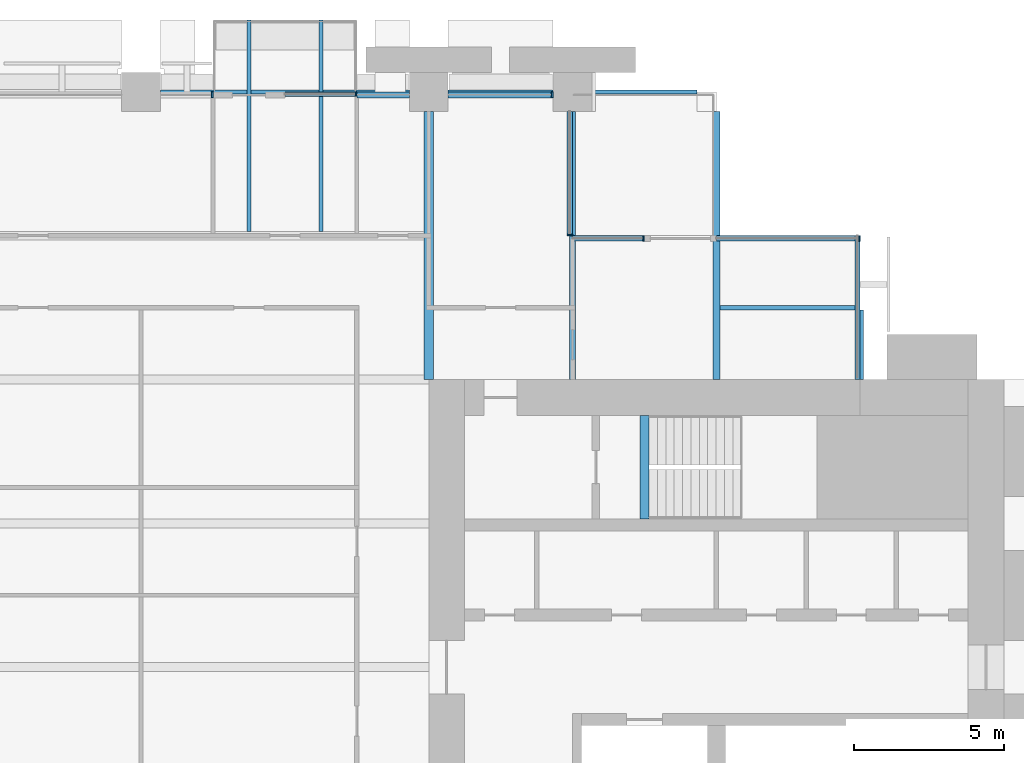
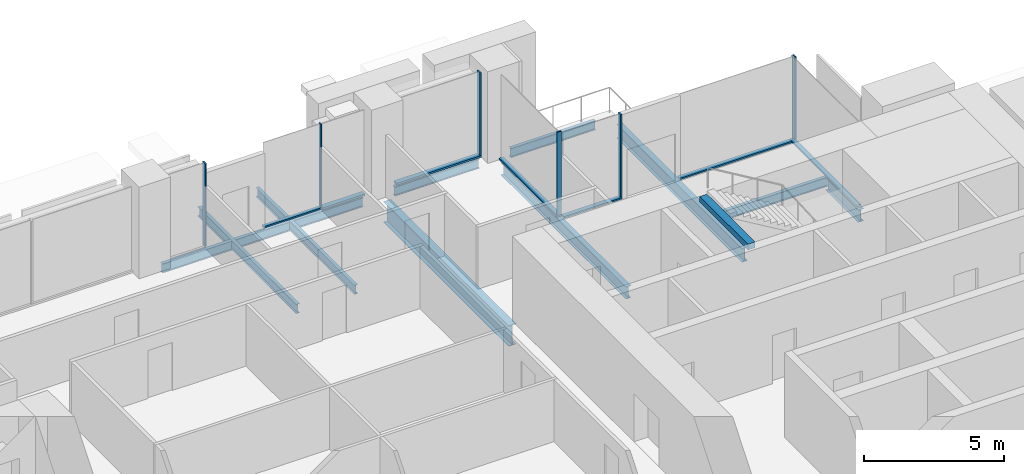
# One storey, part 7 of 15: 13 beams, 13 members, 7 elements without a shape of their own.
"""IFC4 building model written with IfcOpenShell, lengths in metres."""

from ifc_helpers import new_model, si_unit, direction, frame, origin, origin_2d, place, context, subcontext, project, spatial, rectangle, i_section, extrude, material, material_profile, profile_set, type_object, element, aggregate, save


model = new_model("IFC4")

# Units and contexts
model_context = context("Model", 3, precision=1e-05, world=origin(), true_north=direction((0.0, 1.0)))
body_context = subcontext(model_context, "Body", "Model", "MODEL_VIEW")
ifc_project = project(units=[si_unit("LENGTHUNIT", "METRE"), si_unit("AREAUNIT", "SQUARE_METRE"), si_unit("VOLUMEUNIT", "CUBIC_METRE"), si_unit("PLANEANGLEUNIT", "RADIAN"), si_unit("MASSUNIT", "GRAM", prefix="KILO")], contexts=[model_context])

# Site, building, storey
site_placement = place(None, origin())
site = spatial("IfcSite", under=ifc_project, at=site_placement, CompositionType="ELEMENT")
building_placement = place(site_placement, origin())
building = spatial("IfcBuilding", under=site, at=building_placement, Name="Baori Bourse Tower", CompositionType="ELEMENT")
storey_placement = place(building_placement, frame((0.0, 0.0, 83.0)))
storey = spatial("IfcBuildingStorey", under=building, at=storey_placement, Name="L18", CompositionType="ELEMENT", Elevation=83.0)

# Beams
ifc_material_1 = material(Name="Steel A992 Gr 50", Category="steel")
ifc_material_profile_1 = material_profile(ifc_material_1, i_section(OverallWidth=0.140380859375, OverallDepth=0.40380859375, WebThickness=0.007080078125, FlangeThickness=0.01123046875, at=origin_2d()), Name="W16x31")
ifc_profile_set_1 = profile_set([ifc_material_profile_1], Name="Steel A992 Gr 50")
beam_type_1 = type_object("IfcBeamType", Name="Balcony beam W16x31", PredefinedType="BEAM", material=ifc_profile_set_1)
for number, where, z_axis, x_axis, name in (
    (1, (32.39990234375, 50.39990234375, -0.36181640625), (0.0, -1.0, 0.0), (1.0, 0.0, 0.0), "Balcony beam L18"),
    (2, (34.800048828125, 50.39990234375, -0.36181640625), (0.0, -1.0, 0.0), (1.0, 0.0, 0.0), "Balcony beam L18"),
):
    element("IfcBeam", number, at=place(storey_placement, frame(where, z_axis=z_axis, x_axis=x_axis)), inside=storey, type_object=beam_type_1, Name=name, PredefinedType="BEAM", context=body_context, shape_type="SweptSolid", body=[
        extrude(i_section(OverallWidth=0.140380859375, OverallDepth=0.40380859375, WebThickness=0.007080078125, FlangeThickness=0.01123046875, at=origin_2d()), origin(), (0.0, 0.0, 1.0), 7.050048828125),
    ])

# Curtain wall, member
ifc_material_2 = material(Name="Pale anodised aluminium", Category="aluminium")
curtain_wall_type_1 = type_object("IfcCurtainWallType", Name="CW1 Curtain wall", PredefinedType="NOTDEFINED", material=ifc_material_2)
curtain_wall_1_placement = place(storey_placement, origin())
curtain_wall_1 = element("IfcCurtainWall", 3, at=curtain_wall_1_placement, inside=storey, type_object=curtain_wall_type_1, Name="Curtain wall CW1 L18 5", PredefinedType="NOTDEFINED")
ifc_material_3 = material(Name="Pale anodised aluminium", Category="aluminium")
ifc_material_profile_2 = material_profile(ifc_material_3, rectangle(XDim=0.199951171875, YDim=0.06005859375, at=origin_2d()), Name="Mullion 60x200")
ifc_profile_set_2 = profile_set([ifc_material_profile_2], Name="Pale anodised aluminium")
member_type_1 = type_object("IfcMemberType", Name="CW1 Curtain wall mullion", PredefinedType="MULLION", material=ifc_profile_set_2)
member_1_placement = place(storey_placement, frame((42.52001953125, 47.89990234375, 0.080078125), z_axis=(0.0, 0.0, 1.0), x_axis=(0.0, -1.0, 0.0)))
member_1 = element("IfcMember", 4, at=member_1_placement, type_object=member_type_1, Name="Curtain wall CW1 mullion", PredefinedType="MULLION", context=body_context, shape_type="SweptSolid", body=[
    extrude(rectangle(XDim=0.199951171875, YDim=0.06005859375, at=origin_2d()), origin(), (0.0, 0.0, 1.0), 3.619873046875),
])

curtain_wall_2_placement = place(storey_placement, origin())
curtain_wall_2 = element("IfcCurtainWall", 5, at=curtain_wall_2_placement, inside=storey, type_object=curtain_wall_type_1, Name="Curtain wall CW1 L18 7", PredefinedType="NOTDEFINED")
member_2_placement = place(storey_placement, frame((31.169921875, 47.89990234375, 0.080078125), z_axis=(0.0, 0.0, 1.0), x_axis=(0.0, -1.0, 0.0)))
member_2 = element("IfcMember", 6, at=member_2_placement, type_object=member_type_1, Name="Curtain wall CW1 mullion", PredefinedType="MULLION", context=body_context, shape_type="SweptSolid", body=[
    extrude(rectangle(XDim=0.199951171875, YDim=0.06005859375, at=origin_2d()), origin(), (0.0, 0.0, 1.0), 3.619873046875),
])
aggregate(curtain_wall_2, [member_2])

# Member
ifc_material_4 = material(Name="Pale anodised aluminium", Category="aluminium")
ifc_material_profile_3 = material_profile(ifc_material_4, rectangle(XDim=0.199951171875, YDim=0.080078125, at=origin_2d()), Name="Transom 80x200")
ifc_profile_set_3 = profile_set([ifc_material_profile_3], Name="Pale anodised aluminium")
member_type_2 = type_object("IfcMemberType", Name="CW1 Curtain wall transom", PredefinedType="USERDEFINED", material=ifc_profile_set_3)
member_3_placement = place(storey_placement, frame((42.550048828125, 47.89990234375, 0.0400390625), z_axis=(-1.0, 0.0, 0.0), x_axis=(0.0, -1.0, 0.0)))
member_3 = element("IfcMember", 7, at=member_3_placement, type_object=member_type_2, Name="Curtain wall CW1 sill rail", ObjectType="TRANSOM", PredefinedType="USERDEFINED", context=body_context, shape_type="SweptSolid", body=[
    extrude(rectangle(XDim=0.199951171875, YDim=0.080078125, at=origin_2d()), origin(), (0.0, 0.0, 1.0), 3.5),
])

member_4_placement = place(storey_placement, frame((37.75, 47.89990234375, 0.0400390625), z_axis=(-1.0, 0.0, 0.0), x_axis=(0.0, -1.0, 0.0)))
member_4 = element("IfcMember", 8, at=member_4_placement, type_object=member_type_2, Name="Curtain wall CW1 sill rail", ObjectType="TRANSOM", PredefinedType="USERDEFINED", context=body_context, shape_type="SweptSolid", body=[
    extrude(rectangle(XDim=0.199951171875, YDim=0.080078125, at=origin_2d()), origin(), (0.0, 0.0, 1.0), 1.75),
])

aggregate(curtain_wall_1, [member_3, member_1, member_4])

# Curtain wall, member
ifc_material_5 = material(Name="Pale anodised aluminium", Category="aluminium")
curtain_wall_type_2 = type_object("IfcCurtainWallType", Name="CW2 Curtain wall", PredefinedType="NOTDEFINED", material=ifc_material_5)
curtain_wall_3_placement = place(storey_placement, origin())
curtain_wall_3 = element("IfcCurtainWall", 9, at=curtain_wall_3_placement, inside=storey, type_object=curtain_wall_type_2, Name="Curtain wall CW2 L18 2", PredefinedType="NOTDEFINED")
ifc_material_6 = material(Name="Pale anodised aluminium", Category="aluminium")
ifc_material_profile_4 = material_profile(ifc_material_6, rectangle(XDim=0.179931640625, YDim=0.054931640625, at=origin_2d()), Name="Mullion 55x180")
ifc_profile_set_4 = profile_set([ifc_material_profile_4], Name="Pale anodised aluminium")
member_type_3 = type_object("IfcMemberType", Name="CW2 Curtain wall mullion", PredefinedType="MULLION", material=ifc_profile_set_4)
member_5_placement = place(storey_placement, frame((52.7724609375, 43.110107421875, 0.070068359375), z_axis=(0.0, 0.0, 1.0), x_axis=(0.0, -1.0, 0.0)))
member_5 = element("IfcMember", 10, at=member_5_placement, type_object=member_type_3, Name="Curtain wall CW2 mullion", PredefinedType="MULLION", context=body_context, shape_type="SweptSolid", body=[
    extrude(rectangle(XDim=0.179931640625, YDim=0.054931640625, at=origin_2d()), origin(), (0.0, 0.0, 1.0), 3.6298828125),
])

curtain_wall_4_placement = place(storey_placement, origin())
curtain_wall_4 = element("IfcCurtainWall", 11, at=curtain_wall_4_placement, inside=storey, type_object=curtain_wall_type_2, Name="Curtain wall CW2 L18 3", PredefinedType="NOTDEFINED")
member_6_placement = place(storey_placement, frame((45.572509765625, 43.110107421875, 0.070068359375), z_axis=(0.0, 0.0, 1.0), x_axis=(0.0, -1.0, 0.0)))
member_6 = element("IfcMember", 12, at=member_6_placement, type_object=member_type_3, Name="Curtain wall CW2 mullion", PredefinedType="MULLION", context=body_context, shape_type="SweptSolid", body=[
    extrude(rectangle(XDim=0.179931640625, YDim=0.054931640625, at=origin_2d()), origin(), (0.0, 0.0, 1.0), 3.6298828125),
])

curtain_wall_5_placement = place(storey_placement, origin())
curtain_wall_5 = element("IfcCurtainWall", 13, at=curtain_wall_5_placement, inside=storey, type_object=curtain_wall_type_2, Name="Curtain wall CW2 L18 4", PredefinedType="NOTDEFINED")
member_7_placement = place(storey_placement, frame((43.110107421875, 43.2275390625, 0.070068359375), z_axis=(0.0, 0.0, 1.0), x_axis=(-1.0, 0.0, 0.0)))
member_7 = element("IfcMember", 14, at=member_7_placement, type_object=member_type_3, Name="Curtain wall CW2 mullion", PredefinedType="MULLION", context=body_context, shape_type="SweptSolid", body=[
    extrude(rectangle(XDim=0.179931640625, YDim=0.054931640625, at=origin_2d()), origin(), (0.0, 0.0, 1.0), 3.6298828125),
])

curtain_wall_6_placement = place(storey_placement, origin())
curtain_wall_6 = element("IfcCurtainWall", 15, at=curtain_wall_6_placement, inside=storey, type_object=curtain_wall_type_2, Name="Curtain wall CW2 L18 1", PredefinedType="NOTDEFINED")
ifc_material_7 = material(Name="Pale anodised aluminium", Category="aluminium")
ifc_material_profile_5 = material_profile(ifc_material_7, rectangle(XDim=0.179931640625, YDim=0.070068359375, at=origin_2d()), Name="Transom 70x180")
ifc_profile_set_5 = profile_set([ifc_material_profile_5], Name="Pale anodised aluminium")
member_type_4 = type_object("IfcMemberType", Name="CW2 Curtain wall transom", PredefinedType="USERDEFINED", material=ifc_profile_set_5)
member_8_placement = place(storey_placement, frame((52.7099609375, 38.39990234375, 0.034912109375), z_axis=(0.0, 1.0, 0.0), x_axis=(-1.0, 0.0, 0.0)))
member_8 = element("IfcMember", 16, at=member_8_placement, type_object=member_type_4, Name="Curtain wall CW2 sill rail", ObjectType="TRANSOM", PredefinedType="USERDEFINED", context=body_context, shape_type="SweptSolid", body=[
    extrude(rectangle(XDim=0.179931640625, YDim=0.070068359375, at=origin_2d()), origin(), (0.0, 0.0, 1.0), 4.800048828125),
])
aggregate(curtain_wall_6, [member_8])

# Member
member_9_placement = place(storey_placement, frame((52.800048828125, 43.110107421875, 0.034912109375), z_axis=(-1.0, 0.0, 0.0), x_axis=(0.0, -1.0, 0.0)))
member_9 = element("IfcMember", 17, at=member_9_placement, type_object=member_type_4, Name="Curtain wall CW2 sill rail", ObjectType="TRANSOM", PredefinedType="USERDEFINED", context=body_context, shape_type="SweptSolid", body=[
    extrude(rectangle(XDim=0.179931640625, YDim=0.070068359375, at=origin_2d()), origin(), (0.0, 0.0, 1.0), 4.800048828125),
])

aggregate(curtain_wall_3, [member_9, member_5])

member_10_placement = place(storey_placement, frame((45.60009765625, 43.110107421875, 0.034912109375), z_axis=(-1.0, 0.0, 0.0), x_axis=(0.0, -1.0, 0.0)))
member_10 = element("IfcMember", 18, at=member_10_placement, type_object=member_type_4, Name="Curtain wall CW2 sill rail", ObjectType="TRANSOM", PredefinedType="USERDEFINED", context=body_context, shape_type="SweptSolid", body=[
    extrude(rectangle(XDim=0.179931640625, YDim=0.070068359375, at=origin_2d()), origin(), (0.0, 0.0, 1.0), 2.400146484375),
])

aggregate(curtain_wall_4, [member_10, member_6])

member_11_placement = place(storey_placement, frame((43.110107421875, 43.199951171875, 0.034912109375), z_axis=(0.0, 1.0, 0.0), x_axis=(-1.0, 0.0, 0.0)))
member_11 = element("IfcMember", 19, at=member_11_placement, type_object=member_type_4, Name="Curtain wall CW2 sill rail", ObjectType="TRANSOM", PredefinedType="USERDEFINED", context=body_context, shape_type="SweptSolid", body=[
    extrude(rectangle(XDim=0.179931640625, YDim=0.070068359375, at=origin_2d()), origin(), (0.0, 0.0, 1.0), 4.150146484375),
])

aggregate(curtain_wall_5, [member_11, member_7])

# Curtain wall, members
ifc_material_8 = material(Name="Pale anodised aluminium", Category="aluminium")
curtain_wall_type_3 = type_object("IfcCurtainWallType", Name="CW6 Curtain wall", PredefinedType="NOTDEFINED", material=ifc_material_8)
curtain_wall_7_placement = place(storey_placement, origin())
curtain_wall_7 = element("IfcCurtainWall", 20, at=curtain_wall_7_placement, inside=storey, type_object=curtain_wall_type_3, Name="Curtain wall CW6 L18 6", PredefinedType="NOTDEFINED")
ifc_material_9 = material(Name="Pale anodised aluminium", Category="aluminium")
ifc_material_profile_6 = material_profile(ifc_material_9, rectangle(XDim=0.14990234375, YDim=0.050048828125, at=origin_2d()), Name="Mullion 50x150")
ifc_profile_set_6 = profile_set([ifc_material_profile_6], Name="Pale anodised aluminium")
member_type_5 = type_object("IfcMemberType", Name="CW6 Curtain wall mullion", PredefinedType="MULLION", material=ifc_profile_set_6)
member_12_placement = place(storey_placement, frame((35.97509765625, 47.925048828125, 0.06494140625), z_axis=(0.0, 0.0, 1.0), x_axis=(0.0, -1.0, 0.0)))
member_12 = element("IfcMember", 21, at=member_12_placement, type_object=member_type_5, Name="Curtain wall CW6 mullion", PredefinedType="MULLION", context=body_context, shape_type="SweptSolid", body=[
    extrude(rectangle(XDim=0.14990234375, YDim=0.050048828125, at=origin_2d()), origin(), (0.0, 0.0, 1.0), 3.635009765625),
])
ifc_material_10 = material(Name="Pale anodised aluminium", Category="aluminium")
ifc_material_profile_7 = material_profile(ifc_material_10, rectangle(XDim=0.14990234375, YDim=0.06494140625, at=origin_2d()), Name="Transom 65x150")
ifc_profile_set_7 = profile_set([ifc_material_profile_7], Name="Pale anodised aluminium")
member_type_6 = type_object("IfcMemberType", Name="CW6 Curtain wall transom", PredefinedType="USERDEFINED", material=ifc_profile_set_7)
member_13_placement = place(storey_placement, frame((36.0, 47.925048828125, 0.032470703125), z_axis=(-1.0, 0.0, 0.0), x_axis=(0.0, -1.0, 0.0)))
member_13 = element("IfcMember", 22, at=member_13_placement, type_object=member_type_6, Name="Curtain wall CW6 sill rail", ObjectType="TRANSOM", PredefinedType="USERDEFINED", context=body_context, shape_type="SweptSolid", body=[
    extrude(rectangle(XDim=0.14990234375, YDim=0.06494140625, at=origin_2d()), origin(), (0.0, 0.0, 1.0), 2.39990234375),
])
aggregate(curtain_wall_7, [member_13, member_12])

# Beams
ifc_material_11 = material(Name="Steel A992 Gr 50", Category="steel")
ifc_material_profile_8 = material_profile(ifc_material_11, i_section(OverallWidth=0.21240234375, OverallDepth=0.54345703125, WebThickness=0.01318359375, FlangeThickness=0.021240234375, at=origin_2d()), Name="W21x83")
ifc_profile_set_8 = profile_set([ifc_material_profile_8], Name="Steel A992 Gr 50")
beam_type_2 = type_object("IfcBeamType", Name="Core bracket W21x83", PredefinedType="BEAM", material=ifc_profile_set_8)
beam_1_placement = place(storey_placement, frame((52.800048828125, 38.39990234375, -0.431884765625), z_axis=(0.0, 1.0, 0.0), x_axis=(-1.0, 0.0, 0.0)))
element("IfcBeam", 23, at=beam_1_placement, inside=storey, type_object=beam_type_2, Name="Core bracket L18", PredefinedType="BEAM", context=body_context, shape_type="SweptSolid", body=[
    extrude(i_section(OverallWidth=0.21240234375, OverallDepth=0.54345703125, WebThickness=0.01318359375, FlangeThickness=0.021240234375, at=origin_2d()), origin(), (0.0, 0.0, 1.0), 2.329833984375),
])
ifc_material_12 = material(Name="Steel A992 Gr 50", Category="steel")
ifc_material_profile_9 = material_profile(ifc_material_12, i_section(OverallWidth=0.140380859375, OverallDepth=0.40380859375, WebThickness=0.007080078125, FlangeThickness=0.01123046875, at=origin_2d()), Name="W16x31")
ifc_profile_set_9 = profile_set([ifc_material_profile_9], Name="Steel A992 Gr 50")
beam_type_3 = type_object("IfcBeamType", Name="Edge beam W16x31", PredefinedType="BEAM", material=ifc_profile_set_9)
beam_2_placement = place(storey_placement, frame((29.449951171875, 48.0, -0.36181640625), z_axis=(1.0, 0.0, 0.0), x_axis=(0.0, 1.0, 0.0)))
element("IfcBeam", 24, at=beam_2_placement, inside=storey, type_object=beam_type_3, Name="Edge beam L18", PredefinedType="BEAM", context=body_context, shape_type="SweptSolid", body=[
    extrude(i_section(OverallWidth=0.140380859375, OverallDepth=0.40380859375, WebThickness=0.007080078125, FlangeThickness=0.01123046875, at=origin_2d()), origin(), (0.0, 0.0, 1.0), 2.8798828125),
])
beam_3_placement = place(storey_placement, frame((32.47021484375, 48.0, -0.36181640625), z_axis=(1.0, 0.0, 0.0), x_axis=(0.0, 1.0, 0.0)))
element("IfcBeam", 25, at=beam_3_placement, inside=storey, type_object=beam_type_3, Name="Edge beam L18", PredefinedType="BEAM", context=body_context, shape_type="SweptSolid", body=[
    extrude(i_section(OverallWidth=0.140380859375, OverallDepth=0.40380859375, WebThickness=0.007080078125, FlangeThickness=0.01123046875, at=origin_2d()), origin(), (0.0, 0.0, 1.0), 2.259521484375),
])
beam_4_placement = place(storey_placement, frame((34.8701171875, 48.0, -0.36181640625), z_axis=(1.0, 0.0, 0.0), x_axis=(0.0, 1.0, 0.0)))
element("IfcBeam", 26, at=beam_4_placement, inside=storey, type_object=beam_type_3, Name="Edge beam L18", PredefinedType="BEAM", context=body_context, shape_type="SweptSolid", body=[
    extrude(i_section(OverallWidth=0.140380859375, OverallDepth=0.40380859375, WebThickness=0.007080078125, FlangeThickness=0.01123046875, at=origin_2d()), origin(), (0.0, 0.0, 1.0), 2.8798828125),
])
for number, where, z_axis, x_axis, name in (
    (27, (39.050048828125, 48.0, -0.36181640625), (1.0, 0.0, 0.0), (0.0, 1.0, 0.0), "Edge beam L18"),
    (28, (43.85009765625, 48.0, -0.36181640625), (1.0, 0.0, 0.0), (0.0, 1.0, 0.0), "Edge beam L18"),
):
    element("IfcBeam", number, at=place(storey_placement, frame(where, z_axis=z_axis, x_axis=x_axis)), inside=storey, type_object=beam_type_3, Name=name, PredefinedType="BEAM", context=body_context, shape_type="SweptSolid", body=[
        extrude(i_section(OverallWidth=0.140380859375, OverallDepth=0.40380859375, WebThickness=0.007080078125, FlangeThickness=0.01123046875, at=origin_2d()), origin(), (0.0, 0.0, 1.0), 3.5),
    ])
ifc_material_13 = material(Name="Steel A992 Gr 50", Category="steel")
ifc_material_profile_10 = material_profile(ifc_material_13, i_section(OverallWidth=0.209228515625, OverallDepth=0.533447265625, WebThickness=0.01025390625, FlangeThickness=0.015625, at=origin_2d()), Name="W21x62")
ifc_profile_set_10 = profile_set([ifc_material_profile_10], Name="Steel A992 Gr 50")
beam_type_4 = type_object("IfcBeamType", Name="Floor beam W21x62", PredefinedType="BEAM", material=ifc_profile_set_10)
beam_5_placement = place(storey_placement, frame((43.199951171875, 38.39990234375, -0.4267578125), z_axis=(0.0, 1.0, 0.0), x_axis=(-1.0, 0.0, 0.0)))
element("IfcBeam", 29, at=beam_5_placement, inside=storey, type_object=beam_type_4, Name="Floor beam L18", PredefinedType="BEAM", context=body_context, shape_type="SweptSolid", body=[
    extrude(i_section(OverallWidth=0.209228515625, OverallDepth=0.533447265625, WebThickness=0.01025390625, FlangeThickness=0.015625, at=origin_2d()), origin(), (0.0, 0.0, 1.0), 8.9501953125),
])
ifc_material_14 = material(Name="Steel A992 Gr 50", Category="steel")
ifc_material_profile_11 = material_profile(ifc_material_14, i_section(OverallWidth=0.227783203125, OverallDepth=0.60205078125, WebThickness=0.010498046875, FlangeThickness=0.014892578125, at=origin_2d()), Name="W24x68")
ifc_profile_set_11 = profile_set([ifc_material_profile_11], Name="Steel A992 Gr 50")
beam_type_5 = type_object("IfcBeamType", Name="Floor beam W24x68", PredefinedType="BEAM", material=ifc_profile_set_11)
beam_6_placement = place(storey_placement, frame((48.0, 38.39990234375, -0.4609375), z_axis=(0.0, 1.0, 0.0), x_axis=(-1.0, 0.0, 0.0)))
element("IfcBeam", 30, at=beam_6_placement, inside=storey, type_object=beam_type_5, Name="Floor beam L18", PredefinedType="BEAM", context=body_context, shape_type="SweptSolid", body=[
    extrude(i_section(OverallWidth=0.227783203125, OverallDepth=0.60205078125, WebThickness=0.010498046875, FlangeThickness=0.014892578125, at=origin_2d()), origin(), (0.0, 0.0, 1.0), 8.9501953125),
])
ifc_material_15 = material(Name="Steel A992 Gr 50", Category="steel")
ifc_material_profile_12 = material_profile(ifc_material_15, i_section(OverallWidth=0.3046875, OverallDepth=0.904296875, WebThickness=0.01513671875, FlangeThickness=0.02001953125, at=origin_2d()), Name="W36x135")
ifc_profile_set_12 = profile_set([ifc_material_profile_12], Name="Steel A992 Gr 50")
beam_type_6 = type_object("IfcBeamType", Name="Girder W36x135", PredefinedType="BEAM", material=ifc_profile_set_12)
beam_7_placement = place(storey_placement, frame((38.39990234375, 38.39990234375, -0.612060546875), z_axis=(0.0, 1.0, 0.0), x_axis=(-1.0, 0.0, 0.0)))
element("IfcBeam", 31, at=beam_7_placement, inside=storey, type_object=beam_type_6, Name="Girder L18", PredefinedType="BEAM", context=body_context, shape_type="SweptSolid", body=[
    extrude(i_section(OverallWidth=0.3046875, OverallDepth=0.904296875, WebThickness=0.01513671875, FlangeThickness=0.02001953125, at=origin_2d()), origin(), (0.0, 0.0, 1.0), 8.9501953125),
])
ifc_material_16 = material(Name="Concrete f'c 50 MPa", Category="concrete")
ifc_material_profile_13 = material_profile(ifc_material_16, rectangle(XDim=0.300048828125, YDim=0.25, at=origin_2d()), Name="RC 300x250")
ifc_profile_set_13 = profile_set([ifc_material_profile_13], Name="Concrete f'c 50 MPa")
beam_type_7 = type_object("IfcBeamType", Name="Stair nib beam RC 300x250", PredefinedType="BEAM", material=ifc_profile_set_13)
beam_8_placement = place(storey_placement, frame((45.60009765625, 33.75, 3.574951171875), z_axis=(0.0, 1.0, 0.0), x_axis=(-1.0, 0.0, 0.0)))
element("IfcBeam", 32, at=beam_8_placement, inside=storey, type_object=beam_type_7, Name="Stair EB nib beam L19", PredefinedType="BEAM", context=body_context, shape_type="SweptSolid", body=[
    extrude(rectangle(XDim=0.300048828125, YDim=0.25, at=origin_2d()), origin(), (0.0, 0.0, 1.0), 3.449951171875),
])
ifc_material_17 = material(Name="Steel A992 Gr 50", Category="steel")
ifc_material_profile_14 = material_profile(ifc_material_17, i_section(OverallWidth=0.140380859375, OverallDepth=0.40380859375, WebThickness=0.007080078125, FlangeThickness=0.01123046875, at=origin_2d()), Name="W16x31")
ifc_profile_set_14 = profile_set([ifc_material_profile_14], Name="Steel A992 Gr 50")
beam_type_8 = type_object("IfcBeamType", Name="Trimmer beam W16x31", PredefinedType="BEAM", material=ifc_profile_set_14)
beam_9_placement = place(storey_placement, frame((48.114013671875, 40.800048828125, -0.36181640625), z_axis=(1.0, 0.0, 0.0), x_axis=(0.0, 1.0, 0.0)))
element("IfcBeam", 33, at=beam_9_placement, inside=storey, type_object=beam_type_8, Name="Trimmer beam L18", PredefinedType="BEAM", context=body_context, shape_type="SweptSolid", body=[
    extrude(i_section(OverallWidth=0.140380859375, OverallDepth=0.40380859375, WebThickness=0.007080078125, FlangeThickness=0.01123046875, at=origin_2d()), origin(), (0.0, 0.0, 1.0), 4.68603515625),
])

save(model, "model.ifc")
